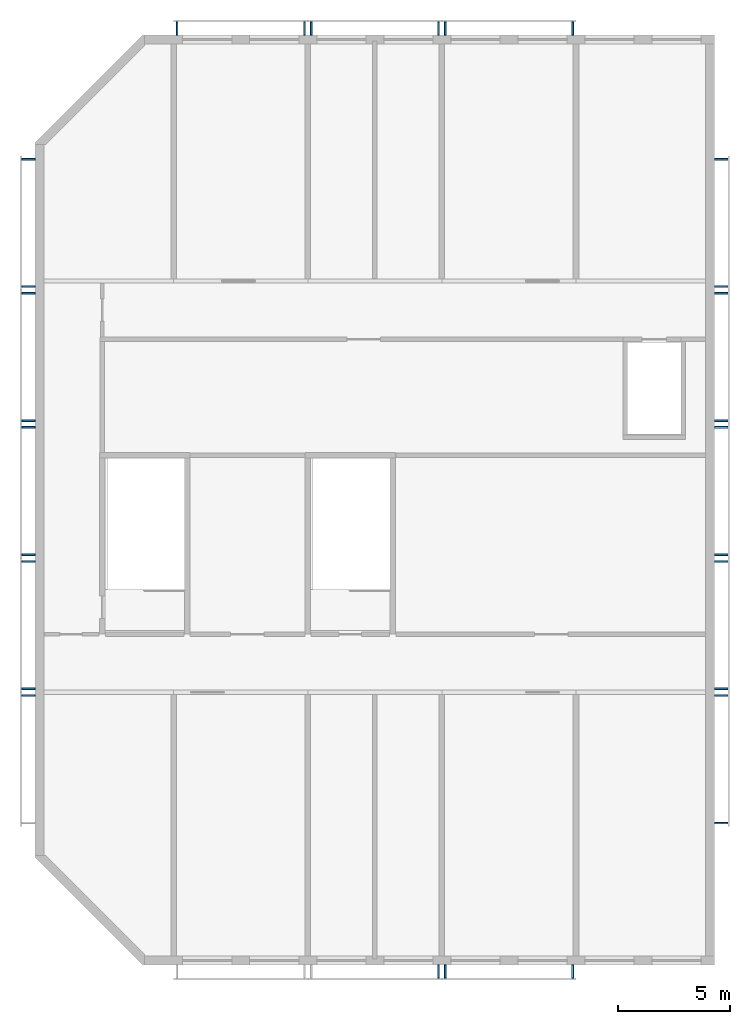
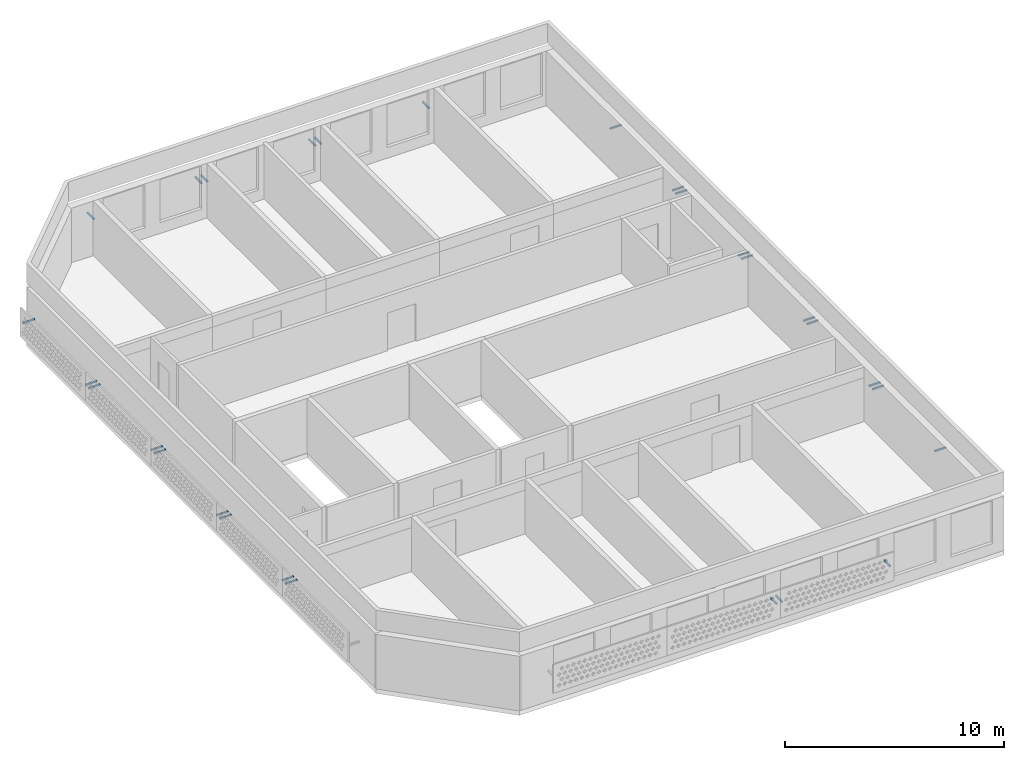
# One storey, part 3 of 7: 28 discrete accessories.
"""IFC4 building model written with IfcOpenShell, lengths in metres."""

from ifc_helpers import new_model, si_unit, direction, frame, origin, origin_2d, place, context, subcontext, project, spatial, rectangle, extrude, source, transform, mapped, material, material_profile, profile_set, type_object, element, save


model = new_model("IFC4")

# Units and contexts
model_context = context("Model", 3, precision=1e-05, world=origin(), true_north=direction((0.0, 1.0)))
body_context = subcontext(model_context, "Body", "Model", "MODEL_VIEW")
ifc_project = project(units=[si_unit("LENGTHUNIT", "METRE"), si_unit("AREAUNIT", "SQUARE_METRE"), si_unit("VOLUMEUNIT", "CUBIC_METRE"), si_unit("PLANEANGLEUNIT", "RADIAN"), si_unit("MASSUNIT", "GRAM", prefix="KILO")], contexts=[model_context])

# Site, building, storey
site_placement = place(None, origin())
site = spatial("IfcSite", under=ifc_project, at=site_placement, CompositionType="ELEMENT")
building_placement = place(site_placement, origin())
building = spatial("IfcBuilding", under=site, at=building_placement, Name="Poui Terraces", CompositionType="ELEMENT")
storey_placement = place(building_placement, frame((0.0, 0.0, 288.89990234375)))
storey = spatial("IfcBuildingStorey", under=building, at=storey_placement, Name="L80 CROWN", CompositionType="ELEMENT", Elevation=288.89990234375)

# Discrete accessories
ifc_material = material(Name="Galvanised steel", Category="steel")
ifc_material_profile = material_profile(ifc_material, rectangle(XDim=0.080078125, YDim=0.080078125, at=origin_2d()), Name="SCREEN BRACKET 80")
ifc_profile_set = profile_set([ifc_material_profile], Name="Galvanised steel")
discrete_accessory_type = type_object("IfcDiscreteAccessoryType", Name="SCREEN BRACKET 80", PredefinedType="BRACKET", material=ifc_profile_set)
shared_shape = source(origin(), body_context, "Body", "SweptSolid", [
    extrude(rectangle(XDim=0.080078125, YDim=0.080078125, at=origin_2d()), origin(), (0.0, 0.0, 1.0), 0.60009765625),
])
for number, where, z_axis, x_axis, name in (
    (1, (35.85009765625, -0.199951171875, 1.7001953125), (0.0, -1.0, 0.0), (1.0, 0.0, 0.0), "SCREEN BRACKET"),
    (2, (36.14990234375, -0.199951171875, 1.7001953125), (0.0, -1.0, 0.0), (1.0, 0.0, 0.0), "SCREEN BRACKET"),
    (3, (41.85009765625, -0.199951171875, 1.7001953125), (0.0, -1.0, 0.0), (1.0, 0.0, 0.0), "SCREEN BRACKET"),
    (4, (48.199951171875, 6.14990234375, 1.7001953125), (1.0, 0.0, 0.0), (0.0, 1.0, 0.0), "SCREEN BRACKET"),
    (5, (48.199951171875, 11.85009765625, 1.7001953125), (1.0, 0.0, 0.0), (0.0, 1.0, 0.0), "SCREEN BRACKET"),
    (6, (48.199951171875, 12.14990234375, 1.7001953125), (1.0, 0.0, 0.0), (0.0, 1.0, 0.0), "SCREEN BRACKET"),
    (7, (48.199951171875, 17.85009765625, 1.7001953125), (1.0, 0.0, 0.0), (0.0, 1.0, 0.0), "SCREEN BRACKET"),
    (8, (48.199951171875, 18.14990234375, 1.7001953125), (1.0, 0.0, 0.0), (0.0, 1.0, 0.0), "SCREEN BRACKET"),
    (9, (48.199951171875, 23.85009765625, 1.7001953125), (1.0, 0.0, 0.0), (0.0, 1.0, 0.0), "SCREEN BRACKET"),
    (10, (48.199951171875, 24.14990234375, 1.7001953125), (1.0, 0.0, 0.0), (0.0, 1.0, 0.0), "SCREEN BRACKET"),
    (11, (48.199951171875, 29.85009765625, 1.7001953125), (1.0, 0.0, 0.0), (0.0, 1.0, 0.0), "SCREEN BRACKET"),
    (12, (48.199951171875, 30.14990234375, 1.7001953125), (1.0, 0.0, 0.0), (0.0, 1.0, 0.0), "SCREEN BRACKET"),
    (13, (48.199951171875, 35.85009765625, 1.7001953125), (1.0, 0.0, 0.0), (0.0, 1.0, 0.0), "SCREEN BRACKET"),
    (14, (29.85009765625, 41.39990234375, 1.7001953125), (0.0, 1.0, 0.0), (-1.0, 0.0, 0.0), "SCREEN BRACKET"),
    (15, (24.14990234375, 41.39990234375, 1.7001953125), (0.0, 1.0, 0.0), (-1.0, 0.0, 0.0), "SCREEN BRACKET"),
    (16, (35.85009765625, 41.39990234375, 1.7001953125), (0.0, 1.0, 0.0), (-1.0, 0.0, 0.0), "SCREEN BRACKET"),
    (17, (30.14990234375, 41.39990234375, 1.7001953125), (0.0, 1.0, 0.0), (-1.0, 0.0, 0.0), "SCREEN BRACKET"),
    (18, (41.85009765625, 41.39990234375, 1.7001953125), (0.0, 1.0, 0.0), (-1.0, 0.0, 0.0), "SCREEN BRACKET"),
    (19, (36.14990234375, 41.39990234375, 1.7001953125), (0.0, 1.0, 0.0), (-1.0, 0.0, 0.0), "SCREEN BRACKET"),
    (20, (17.800048828125, 11.85009765625, 1.7001953125), (-1.0, 0.0, 0.0), (0.0, -1.0, 0.0), "SCREEN BRACKET"),
    (21, (17.800048828125, 17.85009765625, 1.7001953125), (-1.0, 0.0, 0.0), (0.0, -1.0, 0.0), "SCREEN BRACKET"),
    (22, (17.800048828125, 12.14990234375, 1.7001953125), (-1.0, 0.0, 0.0), (0.0, -1.0, 0.0), "SCREEN BRACKET"),
    (23, (17.800048828125, 23.85009765625, 1.7001953125), (-1.0, 0.0, 0.0), (0.0, -1.0, 0.0), "SCREEN BRACKET"),
    (24, (17.800048828125, 18.14990234375, 1.7001953125), (-1.0, 0.0, 0.0), (0.0, -1.0, 0.0), "SCREEN BRACKET"),
    (25, (17.800048828125, 29.85009765625, 1.7001953125), (-1.0, 0.0, 0.0), (0.0, -1.0, 0.0), "SCREEN BRACKET"),
    (26, (17.800048828125, 24.14990234375, 1.7001953125), (-1.0, 0.0, 0.0), (0.0, -1.0, 0.0), "SCREEN BRACKET"),
    (27, (17.800048828125, 35.85009765625, 1.7001953125), (-1.0, 0.0, 0.0), (0.0, -1.0, 0.0), "SCREEN BRACKET"),
    (28, (17.800048828125, 30.14990234375, 1.7001953125), (-1.0, 0.0, 0.0), (0.0, -1.0, 0.0), "SCREEN BRACKET"),
):
    element("IfcDiscreteAccessory", number, at=place(storey_placement, frame(where, z_axis=z_axis, x_axis=x_axis)), inside=storey, type_object=discrete_accessory_type, Name=name, PredefinedType="BRACKET", context=body_context, shape_type="MappedRepresentation", body=[
        mapped(shared_shape, transform((0.0, 0.0, 0.0))),
    ])

save(model, "model.ifc")
